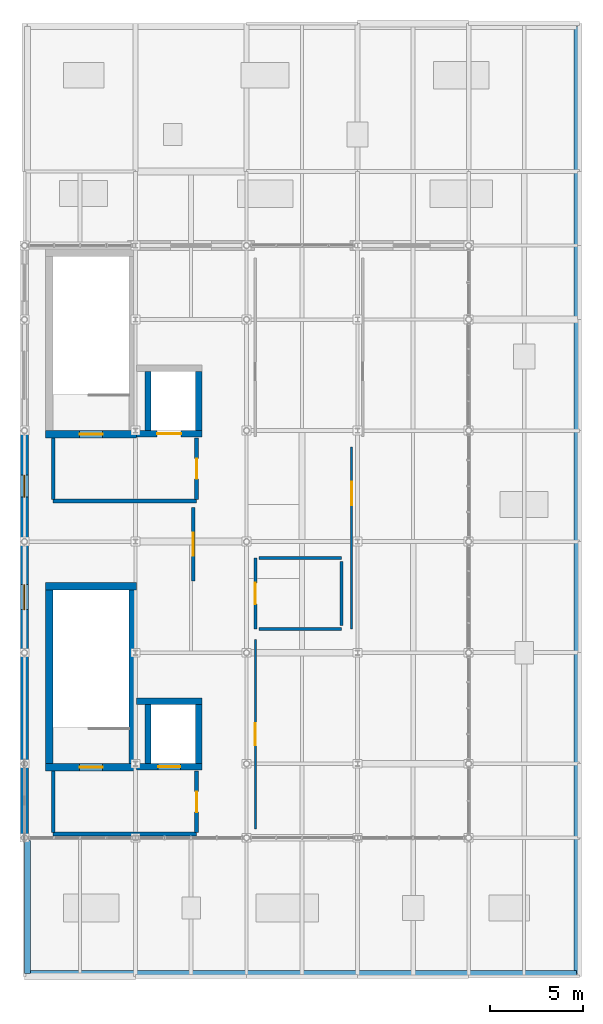
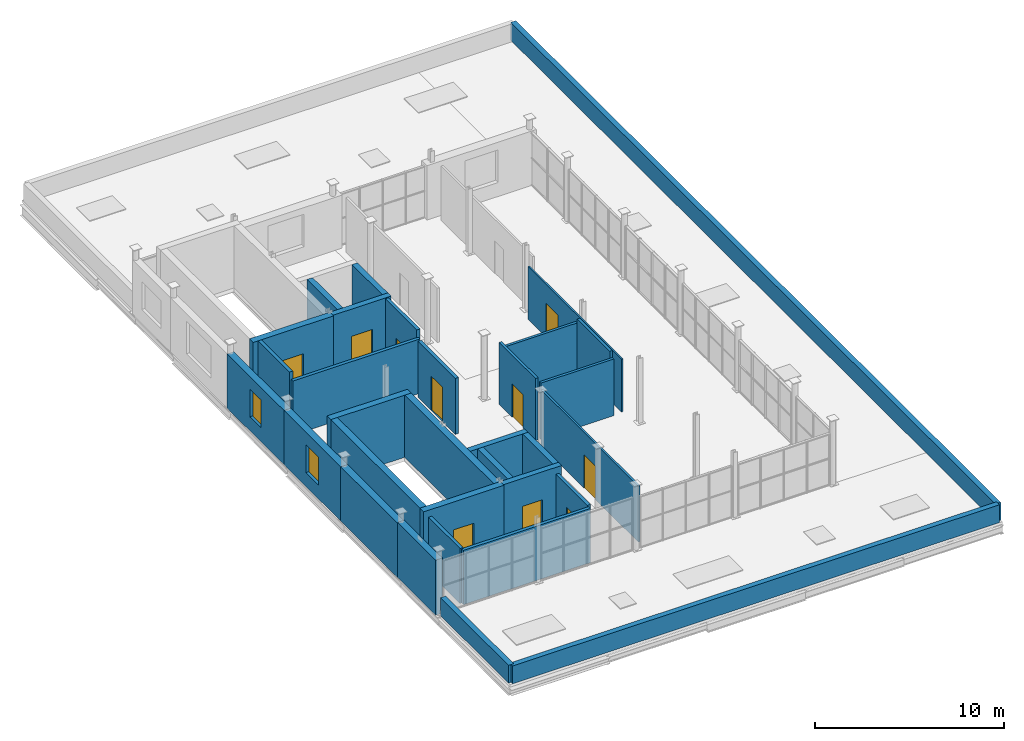
# One storey, part 25 of 27: 32 walls, 10 doors, 2 windows, 12 openings.
"""IFC4 building model written with IfcOpenShell, lengths in metres."""

from ifc_helpers import new_model, si_unit, direction, frame, frame_2d, origin, place, context, subcontext, project, spatial, rectangle, extrude, material, layer, layer_set, type_object, element, fill, save


model = new_model("IFC4")

# Units and contexts
model_context = context("Model", 3, precision=1e-05, world=origin(), true_north=direction((0.0, 1.0)))
body_context = subcontext(model_context, "Body", "Model", "MODEL_VIEW")
ifc_project = project(units=[si_unit("LENGTHUNIT", "METRE"), si_unit("AREAUNIT", "SQUARE_METRE"), si_unit("VOLUMEUNIT", "CUBIC_METRE"), si_unit("PLANEANGLEUNIT", "RADIAN"), si_unit("MASSUNIT", "GRAM", prefix="KILO")], contexts=[model_context])

# Site, building, storey
site_placement = place(None, origin())
site = spatial("IfcSite", under=ifc_project, at=site_placement, CompositionType="ELEMENT")
building_placement = place(site_placement, origin())
building = spatial("IfcBuilding", under=site, at=building_placement, Name="Verrall Gate Interchange", CompositionType="ELEMENT")
storey_placement = place(building_placement, frame((0.0, 0.0, 28.60009765625)))
storey = spatial("IfcBuildingStorey", under=building, at=storey_placement, Name="L07", CompositionType="ELEMENT", Elevation=28.60009765625)

# Wall, opening, window
ifc_material_1 = material(Name="Tyndall Dolomitic Limestone Ashlar Cavity Assembly (U=0.18)", Category="masonry")
ifc_layer_1 = layer(ifc_material_1, 0.419921875)
ifc_layer_set_1 = layer_set([ifc_layer_1], Name="Tyndall Dolomitic Limestone Ashlar Cavity Assembly (U=0.18)")
wall_type_1 = type_object("IfcWallType", Name="EW-01 Exterior Solid Wall 420", PredefinedType="SOLIDWALL", material=ifc_layer_set_1)
wall_1_placement = place(storey_placement, frame((6.0, 34.008056640625, 0.0), z_axis=(0.0, 0.0, 1.0), x_axis=(0.0, -1.0, 0.0)))
wall_1 = element("IfcWall", 1, at=wall_1_placement, inside=storey, type_object=wall_type_1, Name="L07 Classical Limestone Facade Wall 158", PredefinedType="SOLIDWALL", context=body_context, shape_type="SweptSolid", body=[
    extrude(rectangle(XDim=6.01611328125, YDim=0.419921875, at=frame_2d((3.008056640625, 0.0))), origin(), (0.0, 0.0, 1.0), 3.496826171875),
])
opening_1_placement = place(wall_1_placement, frame((2.407958984375, 0.0, 0.89990234375)))
opening_1 = element("IfcOpeningElement", 2, at=opening_1_placement, cuts=wall_1, Name="Opening WN-01", PredefinedType="OPENING", context=body_context, shape_type="SweptSolid", body=[
    extrude(rectangle(XDim=1.199951171875, YDim=1.800048828125, at=frame_2d((0.60009765625, 0.89990234375))), frame((0.0, 0.224853515625, 0.0), z_axis=(0.0, -1.0, 0.0), x_axis=(1.0, 0.0, 0.0)), (0.0, 0.0, 1.0), 0.44970703125),
])
ifc_material_2 = material(Name="Triple-Glazed Low-E Argon Bronze-Clad Window Unit (U=1.40)", Category="glass")
window_type_1 = type_object("IfcWindowType", Name="WN-01 Classical Deep-Reveal Window 1200x1800", PartitioningType="SINGLE_PANEL", PredefinedType="WINDOW", material=ifc_material_2)
window_1_placement = place(opening_1_placement, origin())
window_1 = element("IfcWindow", 3, at=window_1_placement, inside=storey, type_object=window_type_1, Name="L07 Classical Window 089 (WN-01)", OverallHeight=1.800048828125, OverallWidth=1.199951171875, PartitioningType="SINGLE_PANEL", PredefinedType="WINDOW", context=body_context, shape_type="SweptSolid", body=[
    extrude(rectangle(XDim=1.199951171875, YDim=1.800048828125, at=frame_2d((0.60009765625, 0.89990234375))), frame((0.0, 0.030029296875, 0.0), z_axis=(0.0, -1.0, 0.0), x_axis=(1.0, 0.0, 0.0)), (0.0, 0.0, 1.0), 0.06005859375),
])
fill(opening_1, window_1)

wall_2_placement = place(storey_placement, frame((6.0, 28.008056640625, 0.0), z_axis=(0.0, 0.0, 1.0), x_axis=(0.0, -1.0, 0.0)))
wall_2 = element("IfcWall", 4, at=wall_2_placement, inside=storey, type_object=wall_type_1, Name="L07 Classical Limestone Facade Wall 159", PredefinedType="SOLIDWALL", context=body_context, shape_type="SweptSolid", body=[
    extrude(rectangle(XDim=6.01611328125, YDim=0.419921875, at=frame_2d((3.008056640625, 0.0))), origin(), (0.0, 0.0, 1.0), 3.496826171875),
])
opening_2_placement = place(wall_2_placement, frame((2.3330078125, 0.0, 0.89990234375)))
opening_2 = element("IfcOpeningElement", 5, at=opening_2_placement, cuts=wall_2, Name="Opening WN-02", PredefinedType="OPENING", context=body_context, shape_type="SweptSolid", body=[
    extrude(rectangle(XDim=1.35009765625, YDim=1.800048828125, at=frame_2d((0.675048828125, 0.89990234375))), frame((0.0, 0.224853515625, 0.0), z_axis=(0.0, -1.0, 0.0), x_axis=(1.0, 0.0, 0.0)), (0.0, 0.0, 1.0), 0.44970703125),
])
ifc_material_3 = material(Name="Triple-Glazed Low-E Argon Bronze-Clad Window Unit (U=1.40)", Category="glass")
window_type_2 = type_object("IfcWindowType", Name="WN-02 Classical Deep-Reveal Window 1350x1800", PartitioningType="SINGLE_PANEL", PredefinedType="WINDOW", material=ifc_material_3)
window_2_placement = place(opening_2_placement, origin())
window_2 = element("IfcWindow", 6, at=window_2_placement, inside=storey, type_object=window_type_2, Name="L07 Classical Window 090 (WN-02)", OverallHeight=1.800048828125, OverallWidth=1.35009765625, PartitioningType="SINGLE_PANEL", PredefinedType="WINDOW", context=body_context, shape_type="SweptSolid", body=[
    extrude(rectangle(XDim=1.35009765625, YDim=1.800048828125, at=frame_2d((0.675048828125, 0.89990234375))), frame((0.0, 0.030029296875, 0.0), z_axis=(0.0, -1.0, 0.0), x_axis=(1.0, 0.0, 0.0)), (0.0, 0.0, 1.0), 0.06005859375),
])
fill(opening_2, window_2)

# Walls
wall_3_placement = place(storey_placement, frame((6.0, 22.008056640625, 0.0), z_axis=(0.0, 0.0, 1.0), x_axis=(0.0, -1.0, 0.0)))
element("IfcWall", 7, at=wall_3_placement, inside=storey, type_object=wall_type_1, Name="L07 Classical Limestone Facade Wall 160", PredefinedType="SOLIDWALL", context=body_context, shape_type="SweptSolid", body=[
    extrude(rectangle(XDim=6.01611328125, YDim=0.419921875, at=frame_2d((3.008056640625, 0.0))), origin(), (0.0, 0.0, 1.0), 3.496826171875),
])
wall_4_placement = place(storey_placement, frame((6.0, 16.008056640625, 0.0), z_axis=(0.0, 0.0, 1.0), x_axis=(0.0, -1.0, 0.0)))
element("IfcWall", 8, at=wall_4_placement, inside=storey, type_object=wall_type_1, Name="L07 Classical Limestone Facade Wall 161", PredefinedType="SOLIDWALL", context=body_context, shape_type="SweptSolid", body=[
    extrude(rectangle(XDim=4.01611328125, YDim=0.419921875, at=frame_2d((2.008056640625, 0.0))), origin(), (0.0, 0.0, 1.0), 3.5498046875),
])
ifc_material_4 = material(Name="Fire-Rated Type X Gypsum Stud Partition Assembly (60 min)", Category="gypsum")
ifc_layer_2 = layer(ifc_material_4, 0.199951171875)
ifc_layer_set_2 = layer_set([ifc_layer_2], Name="Fire-Rated Type X Gypsum Stud Partition Assembly (60 min)")
wall_type_2 = type_object("IfcWallType", Name="IW-01 Interior Partition Wall 200", PredefinedType="PARTITIONING", material=ifc_layer_set_2)
wall_5_placement = place(storey_placement, frame((7.550048828125, 12.199951171875, 0.0), z_axis=(0.0, 0.0, 1.0), x_axis=(1.0, 0.0, 0.0)))
element("IfcWall", 9, at=wall_5_placement, inside=storey, type_object=wall_type_2, Name="L07 Core C1 Lobby South Rated Wall", PredefinedType="PARTITIONING", context=body_context, shape_type="SweptSolid", body=[
    extrude(rectangle(XDim=7.75, YDim=0.199951171875, at=frame_2d((3.875, 0.0))), origin(), (0.0, 0.0, 1.0), 3.496826171875),
])
wall_6_placement = place(storey_placement, frame((7.550048828125, 15.60009765625, 0.0), z_axis=(0.0, 0.0, 1.0), x_axis=(0.0, -1.0, 0.0)))
element("IfcWall", 10, at=wall_6_placement, inside=storey, type_object=wall_type_2, Name="L07 Core C1 Lobby West Rated Wall", PredefinedType="PARTITIONING", context=body_context, shape_type="SweptSolid", body=[
    extrude(rectangle(XDim=3.320068359375, YDim=0.199951171875, at=frame_2d((1.66015625, 0.0))), origin(), (0.0, 0.0, 1.0), 3.5498046875),
])

# Wall, opening, door
wall_7_placement = place(storey_placement, frame((15.300048828125, 12.280029296875, 0.0), z_axis=(0.0, 0.0, 1.0), x_axis=(0.0, 1.0, 0.0)))
wall_7 = element("IfcWall", 11, at=wall_7_placement, inside=storey, type_object=wall_type_2, Name="L07 Core C1 Lobby East Rated Wall", PredefinedType="PARTITIONING", context=body_context, shape_type="SweptSolid", body=[
    extrude(rectangle(XDim=3.320068359375, YDim=0.199951171875, at=frame_2d((1.66015625, 0.0))), origin(), (0.0, 0.0, 1.0), 3.60400390625),
])
opening_3_placement = place(wall_7_placement, frame((1.110107421875, 0.0, 0.0)))
opening_3 = element("IfcOpeningElement", 12, at=opening_3_placement, cuts=wall_7, Name="Opening LBD018", PredefinedType="OPENING", context=body_context, shape_type="SweptSolid", body=[
    extrude(rectangle(XDim=1.10009765625, YDim=2.14990234375, at=frame_2d((0.550048828125, 1.074951171875))), frame((0.0, 0.11474609375, 0.0), z_axis=(0.0, -1.0, 0.0), x_axis=(1.0, 0.0, 0.0)), (0.0, 0.0, 1.0), 0.229736328125),
])
ifc_material_5 = material(Name="Hollow-Metal Fire-Rated Door Assembly", Category="metal")
door_type_1 = type_object("IfcDoorType", Name="ID-06 Interior Swing Door 1100x2150", OperationType="NOTDEFINED", PredefinedType="DOOR", material=ifc_material_5)
door_1_placement = place(opening_3_placement, origin())
door_1 = element("IfcDoor", 13, at=door_1_placement, inside=storey, type_object=door_type_1, Name="L07 Core C1 Lobby Fire Door LBD018", OperationType="SINGLE_SWING_RIGHT", OverallHeight=2.14990234375, OverallWidth=1.10009765625, PredefinedType="DOOR", context=body_context, shape_type="SweptSolid", body=[
    extrude(rectangle(XDim=1.10009765625, YDim=2.14990234375, at=frame_2d((0.550048828125, 1.074951171875))), frame((0.0, 0.02490234375, 0.0), z_axis=(0.0, -1.0, 0.0), x_axis=(1.0, 0.0, 0.0)), (0.0, 0.0, 1.0), 0.050048828125),
])
fill(opening_3, door_1)

# Walls
wall_8_placement = place(storey_placement, frame((7.550048828125, 30.199951171875, 0.0), z_axis=(0.0, 0.0, 1.0), x_axis=(1.0, 0.0, 0.0)))
element("IfcWall", 14, at=wall_8_placement, inside=storey, type_object=wall_type_2, Name="L07 Core C2 Lobby South Rated Wall", PredefinedType="PARTITIONING", context=body_context, shape_type="SweptSolid", body=[
    extrude(rectangle(XDim=7.75, YDim=0.199951171875, at=frame_2d((3.875, 0.0))), origin(), (0.0, 0.0, 1.0), 3.496826171875),
])
wall_9_placement = place(storey_placement, frame((7.550048828125, 33.60009765625, 0.0), z_axis=(0.0, 0.0, 1.0), x_axis=(0.0, -1.0, 0.0)))
element("IfcWall", 15, at=wall_9_placement, inside=storey, type_object=wall_type_2, Name="L07 Core C2 Lobby West Rated Wall", PredefinedType="PARTITIONING", context=body_context, shape_type="SweptSolid", body=[
    extrude(rectangle(XDim=3.320068359375, YDim=0.199951171875, at=frame_2d((1.66015625, 0.0))), origin(), (0.0, 0.0, 1.0), 4.0),
])

# Wall, opening, door
wall_10_placement = place(storey_placement, frame((15.300048828125, 30.280029296875, 0.0), z_axis=(0.0, 0.0, 1.0), x_axis=(0.0, 1.0, 0.0)))
wall_10 = element("IfcWall", 16, at=wall_10_placement, inside=storey, type_object=wall_type_2, Name="L07 Core C2 Lobby East Rated Wall", PredefinedType="PARTITIONING", context=body_context, shape_type="SweptSolid", body=[
    extrude(rectangle(XDim=3.320068359375, YDim=0.199951171875, at=frame_2d((1.66015625, 0.0))), origin(), (0.0, 0.0, 1.0), 4.0),
])
opening_4_placement = place(wall_10_placement, frame((1.110107421875, 0.0, 0.0)))
opening_4 = element("IfcOpeningElement", 17, at=opening_4_placement, cuts=wall_10, Name="Opening LBD036", PredefinedType="OPENING", context=body_context, shape_type="SweptSolid", body=[
    extrude(rectangle(XDim=1.10009765625, YDim=2.14990234375, at=frame_2d((0.550048828125, 1.074951171875))), frame((0.0, 0.11474609375, 0.0), z_axis=(0.0, -1.0, 0.0), x_axis=(1.0, 0.0, 0.0)), (0.0, 0.0, 1.0), 0.229736328125),
])
door_2_placement = place(opening_4_placement, origin())
door_2 = element("IfcDoor", 18, at=door_2_placement, inside=storey, type_object=door_type_1, Name="L07 Core C2 Lobby Fire Door LBD036", OperationType="SINGLE_SWING_RIGHT", OverallHeight=2.14990234375, OverallWidth=1.10009765625, PredefinedType="DOOR", context=body_context, shape_type="SweptSolid", body=[
    extrude(rectangle(XDim=1.10009765625, YDim=2.14990234375, at=frame_2d((0.550048828125, 1.074951171875))), frame((0.0, 0.02490234375, 0.0), z_axis=(0.0, -1.0, 0.0), x_axis=(1.0, 0.0, 0.0)), (0.0, 0.0, 1.0), 0.050048828125),
])
fill(opening_4, door_2)

wall_11_placement = place(storey_placement, frame((15.1201171875, 29.840087890625, 0.0), z_axis=(0.0, 0.0, 1.0), x_axis=(0.0, -1.0, 0.0)))
wall_11 = element("IfcWall", 19, at=wall_11_placement, inside=storey, type_object=wall_type_2, Name="L07 Crown Heat-Recovery and Radio Plant Partition 109", PredefinedType="PARTITIONING", context=body_context, shape_type="SweptSolid", body=[
    extrude(rectangle(XDim=3.960205078125, YDim=0.199951171875, at=frame_2d((1.97998046875, 0.0))), origin(), (0.0, 0.0, 1.0), 3.60595703125),
])
opening_5_placement = place(wall_11_placement, frame((1.3701171875, 0.0, 0.0)))
opening_5 = element("IfcOpeningElement", 20, at=opening_5_placement, cuts=wall_11, Name="Opening D072", PredefinedType="OPENING", context=body_context, shape_type="SweptSolid", body=[
    extrude(rectangle(XDim=1.219970703125, YDim=2.199951171875, at=frame_2d((0.60986328125, 1.10009765625))), frame((0.0, 0.11474609375, 0.0), z_axis=(0.0, -1.0, 0.0), x_axis=(1.0, 0.0, 0.0)), (0.0, 0.0, 1.0), 0.229736328125),
])
ifc_material_6 = material(Name="Hollow-Metal Fire-Rated Door Assembly", Category="metal")
door_type_2 = type_object("IfcDoorType", Name="ID-07 Interior Swing Door 1220x2200", OperationType="NOTDEFINED", PredefinedType="DOOR", material=ifc_material_6)
door_3_placement = place(opening_5_placement, origin())
door_3 = element("IfcDoor", 21, at=door_3_placement, inside=storey, type_object=door_type_2, Name="L07 Crown Heat-Recovery and Radio Plant Door D072", OperationType="SINGLE_SWING_LEFT", OverallHeight=2.199951171875, OverallWidth=1.219970703125, PredefinedType="DOOR", context=body_context, shape_type="SweptSolid", body=[
    extrude(rectangle(XDim=1.219970703125, YDim=2.199951171875, at=frame_2d((0.60986328125, 1.10009765625))), frame((0.0, 0.02490234375, 0.0), z_axis=(0.0, -1.0, 0.0), x_axis=(1.0, 0.0, 0.0)), (0.0, 0.0, 1.0), 0.050048828125),
])
fill(opening_5, door_3)

ifc_material_7 = material(Name="Fire-Rated Type X Gypsum Stud Partition Assembly (60 min)", Category="gypsum")
ifc_layer_3 = layer(ifc_material_7, 0.159912109375)
ifc_layer_set_3 = layer_set([ifc_layer_3], Name="Fire-Rated Type X Gypsum Stud Partition Assembly (60 min)")
wall_type_3 = type_object("IfcWallType", Name="IW-02 Interior Partition Wall 160", PredefinedType="PARTITIONING", material=ifc_layer_set_3)
wall_12_placement = place(storey_placement, frame((18.47998046875, 23.280029296875, 0.0), z_axis=(0.0, 0.0, 1.0), x_axis=(0.0, 1.0, 0.0)))
wall_12 = element("IfcWall", 22, at=wall_12_placement, inside=storey, type_object=wall_type_3, Name="L07 L07 Accessible Staff Washroom Partition 103", PredefinedType="PARTITIONING", context=body_context, shape_type="SweptSolid", body=[
    extrude(rectangle(XDim=3.840087890625, YDim=0.159912109375, at=frame_2d((1.919921875, 0.0))), origin(), (0.0, 0.0, 1.0), 4.0),
])
opening_6_placement = place(wall_12_placement, frame((1.35009765625, 0.0, 0.0)))
opening_6 = element("IfcOpeningElement", 23, at=opening_6_placement, cuts=wall_12, Name="Opening D069", PredefinedType="OPENING", context=body_context, shape_type="SweptSolid", body=[
    extrude(rectangle(XDim=1.139892578125, YDim=2.14990234375, at=frame_2d((0.56982421875, 1.074951171875))), frame((0.0, 0.0947265625, 0.0), z_axis=(0.0, -1.0, 0.0), x_axis=(1.0, 0.0, 0.0)), (0.0, 0.0, 1.0), 0.189697265625),
])
ifc_material_8 = material(Name="Architectural Solid-Core Birch Acoustic Door Assembly", Category="wood")
door_type_3 = type_object("IfcDoorType", Name="ID-14 Interior Swing Door 1140x2150", OperationType="NOTDEFINED", PredefinedType="DOOR", material=ifc_material_8)
door_4_placement = place(opening_6_placement, origin())
door_4 = element("IfcDoor", 24, at=door_4_placement, inside=storey, type_object=door_type_3, Name="L07 L07 Accessible Staff Washroom Door D069", OperationType="SINGLE_SWING_RIGHT", OverallHeight=2.14990234375, OverallWidth=1.139892578125, PredefinedType="DOOR", context=body_context, shape_type="SweptSolid", body=[
    extrude(rectangle(XDim=1.139892578125, YDim=2.14990234375, at=frame_2d((0.56982421875, 1.074951171875))), frame((0.0, 0.02490234375, 0.0), z_axis=(0.0, -1.0, 0.0), x_axis=(1.0, 0.0, 0.0)), (0.0, 0.0, 1.0), 0.050048828125),
])
fill(opening_6, door_4)

# Walls
for number, where, z_axis, x_axis, name in (
    (25, (18.679931640625, 27.1201171875, 0.0), (0.0, 0.0, 1.0), (1.0, 0.0, 0.0), "L07 L07 Accessible Staff Washroom Partition 104"),
    (26, (23.1201171875, 23.280029296875, 0.0), (0.0, 0.0, 1.0), (-1.0, 0.0, 0.0), "L07 L07 Accessible Staff Washroom Partition 105"),
):
    element("IfcWall", number, at=place(storey_placement, frame(where, z_axis=z_axis, x_axis=x_axis)), inside=storey, type_object=wall_type_3, Name=name, PredefinedType="PARTITIONING", context=body_context, shape_type="SweptSolid", body=[
        extrude(rectangle(XDim=4.440185546875, YDim=0.159912109375, at=frame_2d((2.22021484375, 0.0))), origin(), (0.0, 0.0, 1.0), 3.64990234375),
    ])
wall_13_placement = place(storey_placement, frame((23.1201171875, 26.919921875, 0.0), z_axis=(0.0, 0.0, 1.0), x_axis=(0.0, -1.0, 0.0)))
element("IfcWall", 27, at=wall_13_placement, inside=storey, type_object=wall_type_3, Name="L07 L07 Accessible Staff Washroom Partition 106", PredefinedType="PARTITIONING", context=body_context, shape_type="SweptSolid", body=[
    extrude(rectangle(XDim=3.43994140625, YDim=0.159912109375, at=frame_2d((1.719970703125, 0.0))), origin(), (0.0, 0.0, 1.0), 4.0),
])

# Wall, opening, door
ifc_material_9 = material(Name="Acoustic Steel-Stud Partition Assembly", Category="steel")
ifc_layer_4 = layer(ifc_material_9, 0.1201171875)
ifc_layer_set_4 = layer_set([ifc_layer_4], Name="Acoustic Steel-Stud Partition Assembly")
wall_type_4 = type_object("IfcWallType", Name="IW-04 Interior Partition Wall 120", PredefinedType="PARTITIONING", material=ifc_layer_set_4)
wall_14_placement = place(storey_placement, frame((18.47998046875, 12.47998046875, 0.0), z_axis=(0.0, 0.0, 1.0), x_axis=(0.0, 1.0, 0.0)))
wall_14 = element("IfcWall", 28, at=wall_14_placement, inside=storey, type_object=wall_type_4, Name="L07 Chief Dispatcher Observation Gallery Partition 107", PredefinedType="PARTITIONING", context=body_context, shape_type="SweptSolid", body=[
    extrude(rectangle(XDim=10.239990234375, YDim=0.1201171875, at=frame_2d((5.1201171875, 0.0))), origin(), (0.0, 0.0, 1.0), 3.60400390625),
])
opening_7_placement = place(wall_14_placement, frame((4.52001953125, 0.0, 0.0)))
opening_7 = element("IfcOpeningElement", 29, at=opening_7_placement, cuts=wall_14, Name="Opening D070", PredefinedType="OPENING", context=body_context, shape_type="SweptSolid", body=[
    extrude(rectangle(XDim=1.199951171875, YDim=2.14990234375, at=frame_2d((0.60009765625, 1.074951171875))), frame((0.0, 0.074951171875, 0.0), z_axis=(0.0, -1.0, 0.0), x_axis=(1.0, 0.0, 0.0)), (0.0, 0.0, 1.0), 0.14990234375),
])
ifc_material_10 = material(Name="Architectural Solid-Core Birch Acoustic Door Assembly", Category="wood")
door_type_4 = type_object("IfcDoorType", Name="ID-15 Interior Swing Door 1200x2150", OperationType="NOTDEFINED", PredefinedType="DOOR", material=ifc_material_10)
door_5_placement = place(opening_7_placement, origin())
door_5 = element("IfcDoor", 30, at=door_5_placement, inside=storey, type_object=door_type_4, Name="L07 Chief Dispatcher Observation Gallery Door D070", OperationType="SINGLE_SWING_LEFT", OverallHeight=2.14990234375, OverallWidth=1.199951171875, PredefinedType="DOOR", context=body_context, shape_type="SweptSolid", body=[
    extrude(rectangle(XDim=1.199951171875, YDim=2.14990234375, at=frame_2d((0.60009765625, 1.074951171875))), frame((0.0, 0.02490234375, 0.0), z_axis=(0.0, -1.0, 0.0), x_axis=(1.0, 0.0, 0.0)), (0.0, 0.0, 1.0), 0.050048828125),
])
fill(opening_7, door_5)

ifc_material_11 = material(Name="Acoustic Steel-Stud Partition Assembly", Category="steel")
ifc_layer_5 = layer(ifc_material_11, 0.10009765625)
ifc_layer_set_5 = layer_set([ifc_layer_5], Name="Acoustic Steel-Stud Partition Assembly")
wall_type_5 = type_object("IfcWallType", Name="IW-05 Interior Partition Wall 100", PredefinedType="PARTITIONING", material=ifc_layer_set_5)
wall_15_placement = place(storey_placement, frame((23.679931640625, 23.280029296875, 0.0), z_axis=(0.0, 0.0, 1.0), x_axis=(0.0, 1.0, 0.0)))
wall_15 = element("IfcWall", 31, at=wall_15_placement, inside=storey, type_object=wall_type_5, Name="L07 Winter Operations Briefing Room Partition 108", PredefinedType="PARTITIONING", context=body_context, shape_type="SweptSolid", body=[
    extrude(rectangle(XDim=9.840087890625, YDim=0.10009765625, at=frame_2d((4.919921875, 0.0))), origin(), (0.0, 0.0, 1.0), 3.4208984375),
])
opening_8_placement = place(wall_15_placement, frame((6.6767578125, 0.0, 0.0)))
opening_8 = element("IfcOpeningElement", 32, at=opening_8_placement, cuts=wall_15, Name="Opening D071", PredefinedType="OPENING", context=body_context, shape_type="SweptSolid", body=[
    extrude(rectangle(XDim=1.280029296875, YDim=2.199951171875, at=frame_2d((0.64013671875, 1.10009765625))), frame((0.0, 0.06494140625, 0.0), z_axis=(0.0, -1.0, 0.0), x_axis=(1.0, 0.0, 0.0)), (0.0, 0.0, 1.0), 0.1298828125),
])
ifc_material_12 = material(Name="Architectural Solid-Core Birch Acoustic Door Assembly", Category="wood")
door_type_5 = type_object("IfcDoorType", Name="ID-16 Interior Swing Door 1280x2200", OperationType="NOTDEFINED", PredefinedType="DOOR", material=ifc_material_12)
door_6_placement = place(opening_8_placement, origin())
door_6 = element("IfcDoor", 33, at=door_6_placement, inside=storey, type_object=door_type_5, Name="L07 Winter Operations Briefing Room Door D071", OperationType="SINGLE_SWING_RIGHT", OverallHeight=2.199951171875, OverallWidth=1.280029296875, PredefinedType="DOOR", context=body_context, shape_type="SweptSolid", body=[
    extrude(rectangle(XDim=1.280029296875, YDim=2.199951171875, at=frame_2d((0.64013671875, 1.10009765625))), frame((0.0, 0.02490234375, 0.0), z_axis=(0.0, -1.0, 0.0), x_axis=(1.0, 0.0, 0.0)), (0.0, 0.0, 1.0), 0.050048828125),
])
fill(opening_8, door_6)

# Walls
ifc_material_13 = material(Name="Tyndall Dolomitic Limestone Ashlar Cavity Assembly (U=0.18)", Category="masonry")
ifc_layer_6 = layer(ifc_material_13, 0.320068359375)
ifc_layer_set_6 = layer_set([ifc_layer_6], Name="Tyndall Dolomitic Limestone Ashlar Cavity Assembly (U=0.18)")
wall_type_6 = type_object("IfcWallType", Name="PW-02 Parapet Wall 320", PredefinedType="PARAPET", material=ifc_layer_set_6)
wall_16_placement = place(storey_placement, frame((6.159912109375, 4.659912109375, 0.0), z_axis=(0.0, 0.0, 1.0), x_axis=(1.0, 0.0, 0.0)))
element("IfcWall", 34, at=wall_16_placement, inside=storey, type_object=wall_type_6, Name="L07 Classical Stone Roof Parapet 007", PredefinedType="PARAPET", context=body_context, shape_type="SweptSolid", body=[
    extrude(rectangle(XDim=29.68017578125, YDim=0.320068359375, at=frame_2d((14.840087890625, 0.0))), origin(), (0.0, 0.0, 1.0), 1.14990234375),
])
wall_17_placement = place(storey_placement, frame((35.840087890625, 4.659912109375, 0.0), z_axis=(0.0, 0.0, 1.0), x_axis=(0.0, 1.0, 0.0)))
element("IfcWall", 35, at=wall_17_placement, inside=storey, type_object=wall_type_6, Name="L07 Classical Stone Roof Parapet 008", PredefinedType="PARAPET", context=body_context, shape_type="SweptSolid", body=[
    extrude(rectangle(XDim=51.18017578125, YDim=0.320068359375, at=frame_2d((25.590087890625, 0.0))), origin(), (0.0, 0.0, 1.0), 1.14990234375),
])
wall_18_placement = place(storey_placement, frame((6.159912109375, 4.659912109375, 0.0), z_axis=(0.0, 0.0, 1.0), x_axis=(0.0, 1.0, 0.0)))
element("IfcWall", 36, at=wall_18_placement, inside=storey, type_object=wall_type_6, Name="L07 Classical Stone Roof Parapet 010", PredefinedType="PARAPET", context=body_context, shape_type="SweptSolid", body=[
    extrude(rectangle(XDim=7.18017578125, YDim=0.320068359375, at=frame_2d((3.590087890625, 0.0))), origin(), (0.0, 0.0, 1.0), 1.14990234375),
])

# Wall, opening, door
ifc_material_14 = material(Name="Concrete CSA A23.1 40 MPa (Class N)", Category="concrete")
ifc_layer_7 = layer(ifc_material_14, 0.39990234375)
ifc_layer_set_7 = layer_set([ifc_layer_7], Name="Concrete CSA A23.1 40 MPa (Class N)")
wall_type_7 = type_object("IfcWallType", Name="SW-01 Core Shear Wall 400", PredefinedType="SHEAR", material=ifc_layer_set_7)
wall_19_placement = place(storey_placement, frame((7.14990234375, 15.800048828125, 0.0), z_axis=(0.0, 0.0, 1.0), x_axis=(1.0, 0.0, 0.0)))
wall_19 = element("IfcWall", 37, at=wall_19_placement, inside=storey, type_object=wall_type_7, Name="L07 Core C1 South Shear Wall", PredefinedType="SHEAR", context=body_context, shape_type="SweptSolid", body=[
    extrude(rectangle(XDim=4.900146484375, YDim=0.39990234375, at=frame_2d((2.4501953125, 0.0))), origin(), (0.0, 0.0, 1.0), 4.0),
])
opening_9_placement = place(wall_19_placement, frame((1.824951171875, 0.0, 0.0)))
opening_9 = element("IfcOpeningElement", 38, at=opening_9_placement, cuts=wall_19, Name="Opening SD009", PredefinedType="OPENING", context=body_context, shape_type="SweptSolid", body=[
    extrude(rectangle(XDim=1.25, YDim=2.199951171875, at=frame_2d((0.625, 1.10009765625))), frame((0.0, 0.21484375, 0.0), z_axis=(0.0, -1.0, 0.0), x_axis=(1.0, 0.0, 0.0)), (0.0, 0.0, 1.0), 0.4296875),
])
ifc_material_15 = material(Name="Hollow-Metal Fire-Rated Door Assembly", Category="metal")
door_type_6 = type_object("IfcDoorType", Name="ID-03 Interior Swing Door 1250x2200", OperationType="NOTDEFINED", PredefinedType="DOOR", material=ifc_material_15)
door_7_placement = place(opening_9_placement, origin())
door_7 = element("IfcDoor", 39, at=door_7_placement, inside=storey, type_object=door_type_6, Name="L07 Stair ST-01 Fire Door SD009", OperationType="SINGLE_SWING_LEFT", OverallHeight=2.199951171875, OverallWidth=1.25, PredefinedType="DOOR", context=body_context, shape_type="SweptSolid", body=[
    extrude(rectangle(XDim=1.25, YDim=2.199951171875, at=frame_2d((0.625, 1.10009765625))), frame((0.0, 0.02490234375, 0.0), z_axis=(0.0, -1.0, 0.0), x_axis=(1.0, 0.0, 0.0)), (0.0, 0.0, 1.0), 0.050048828125),
])
fill(opening_9, door_7)

# Walls
wall_20_placement = place(storey_placement, frame((12.050048828125, 25.60009765625, 0.0), z_axis=(0.0, 0.0, 1.0), x_axis=(-1.0, 0.0, 0.0)))
element("IfcWall", 40, at=wall_20_placement, inside=storey, type_object=wall_type_7, Name="L07 Core C1 North Shear Wall", PredefinedType="SHEAR", context=body_context, shape_type="SweptSolid", body=[
    extrude(rectangle(XDim=4.900146484375, YDim=0.39990234375, at=frame_2d((2.4501953125, 0.0))), origin(), (0.0, 0.0, 1.0), 4.0),
])
for number, where, z_axis, x_axis, name in (
    (41, (7.35009765625, 25.39990234375, 0.0), (0.0, 0.0, 1.0), (0.0, -1.0, 0.0), "L07 Core C1 West Shear Wall"),
    (42, (11.85009765625, 16.0, 0.0), (0.0, 0.0, 1.0), (0.0, 1.0, 0.0), "L07 Core C1 East Shear Wall"),
):
    element("IfcWall", number, at=place(storey_placement, frame(where, z_axis=z_axis, x_axis=x_axis)), inside=storey, type_object=wall_type_7, Name=name, PredefinedType="SHEAR", context=body_context, shape_type="SweptSolid", body=[
        extrude(rectangle(XDim=9.39990234375, YDim=0.39990234375, at=frame_2d((4.699951171875, 0.0))), origin(), (0.0, 0.0, 1.0), 4.0),
    ])

# Wall, opening, door
wall_21_placement = place(storey_placement, frame((7.14990234375, 33.800048828125, 0.0), z_axis=(0.0, 0.0, 1.0), x_axis=(1.0, 0.0, 0.0)))
wall_21 = element("IfcWall", 43, at=wall_21_placement, inside=storey, type_object=wall_type_7, Name="L07 Core C2 South Shear Wall", PredefinedType="SHEAR", context=body_context, shape_type="SweptSolid", body=[
    extrude(rectangle(XDim=4.900146484375, YDim=0.39990234375, at=frame_2d((2.4501953125, 0.0))), origin(), (0.0, 0.0, 1.0), 4.0),
])
opening_10_placement = place(wall_21_placement, frame((1.824951171875, 0.0, 0.0)))
opening_10 = element("IfcOpeningElement", 44, at=opening_10_placement, cuts=wall_21, Name="Opening SD027", PredefinedType="OPENING", context=body_context, shape_type="SweptSolid", body=[
    extrude(rectangle(XDim=1.25, YDim=2.199951171875, at=frame_2d((0.625, 1.10009765625))), frame((0.0, 0.21484375, 0.0), z_axis=(0.0, -1.0, 0.0), x_axis=(1.0, 0.0, 0.0)), (0.0, 0.0, 1.0), 0.4296875),
])
door_8_placement = place(opening_10_placement, origin())
door_8 = element("IfcDoor", 45, at=door_8_placement, inside=storey, type_object=door_type_6, Name="L07 Stair ST-02 Fire Door SD027", OperationType="SINGLE_SWING_LEFT", OverallHeight=2.199951171875, OverallWidth=1.25, PredefinedType="DOOR", context=body_context, shape_type="SweptSolid", body=[
    extrude(rectangle(XDim=1.25, YDim=2.199951171875, at=frame_2d((0.625, 1.10009765625))), frame((0.0, 0.02490234375, 0.0), z_axis=(0.0, -1.0, 0.0), x_axis=(1.0, 0.0, 0.0)), (0.0, 0.0, 1.0), 0.050048828125),
])
fill(opening_10, door_8)

ifc_material_16 = material(Name="Concrete CSA A23.1 40 MPa (Class N)", Category="concrete")
ifc_layer_8 = layer(ifc_material_16, 0.340087890625)
ifc_layer_set_8 = layer_set([ifc_layer_8], Name="Concrete CSA A23.1 40 MPa (Class N)")
wall_type_8 = type_object("IfcWallType", Name="SW-02 Core Shear Wall 340", PredefinedType="SHEAR", material=ifc_layer_set_8)
wall_22_placement = place(storey_placement, frame((12.050048828125, 15.830078125, 0.0), z_axis=(0.0, 0.0, 1.0), x_axis=(1.0, 0.0, 0.0)))
wall_22 = element("IfcWall", 46, at=wall_22_placement, inside=storey, type_object=wall_type_8, Name="L07 Elevator EL-01 South Shaft Wall", PredefinedType="SHEAR", context=body_context, shape_type="SweptSolid", body=[
    extrude(rectangle(XDim=3.5400390625, YDim=0.340087890625, at=frame_2d((1.77001953125, 0.0))), origin(), (0.0, 0.0, 1.0), 4.0),
])
opening_11_placement = place(wall_22_placement, frame((1.169921875, 0.0, 0.0)))
opening_11 = element("IfcOpeningElement", 47, at=opening_11_placement, cuts=wall_22, Name="Opening LD-01-L07", PredefinedType="OPENING", context=body_context, shape_type="SweptSolid", body=[
    extrude(rectangle(XDim=1.199951171875, YDim=2.199951171875, at=frame_2d((0.60009765625, 1.10009765625))), frame((0.0, 0.18505859375, 0.0), z_axis=(0.0, -1.0, 0.0), x_axis=(1.0, 0.0, 0.0)), (0.0, 0.0, 1.0), 0.369873046875),
])
ifc_material_17 = material(Name="Stainless-Steel Elevator Landing Sliding Door Assembly", Category="steel")
door_type_7 = type_object("IfcDoorType", Name="LD-02 Elevator Sliding Landing Door 1200x2200", OperationType="NOTDEFINED", PredefinedType="DOOR", material=ifc_material_17)
door_9_placement = place(opening_11_placement, origin())
door_9 = element("IfcDoor", 48, at=door_9_placement, inside=storey, type_object=door_type_7, Name="L07 Elevator EL-01 Sliding Landing Door", OperationType="DOUBLE_DOOR_SLIDING", OverallHeight=2.199951171875, OverallWidth=1.199951171875, PredefinedType="DOOR", context=body_context, shape_type="SweptSolid", body=[
    extrude(rectangle(XDim=1.199951171875, YDim=2.199951171875, at=frame_2d((0.60009765625, 1.10009765625))), frame((0.0, 0.02490234375, 0.0), z_axis=(0.0, -1.0, 0.0), x_axis=(1.0, 0.0, 0.0)), (0.0, 0.0, 1.0), 0.050048828125),
])
fill(opening_11, door_9)

# Walls
wall_23_placement = place(storey_placement, frame((15.590087890625, 19.3701171875, 0.0), z_axis=(0.0, 0.0, 1.0), x_axis=(-1.0, 0.0, 0.0)))
element("IfcWall", 49, at=wall_23_placement, inside=storey, type_object=wall_type_8, Name="L07 Elevator EL-01 North Shaft Wall", PredefinedType="SHEAR", context=body_context, shape_type="SweptSolid", body=[
    extrude(rectangle(XDim=3.5400390625, YDim=0.340087890625, at=frame_2d((1.77001953125, 0.0))), origin(), (0.0, 0.0, 1.0), 4.0),
])
for number, where, z_axis, x_axis, name in (
    (50, (12.679931640625, 19.199951171875, 0.0), (0.0, 0.0, 1.0), (0.0, -1.0, 0.0), "L07 Elevator EL-01 West Shaft Wall"),
    (51, (15.419921875, 16.0, 0.0), (0.0, 0.0, 1.0), (0.0, 1.0, 0.0), "L07 Elevator EL-01 East Shaft Wall"),
):
    element("IfcWall", number, at=place(storey_placement, frame(where, z_axis=z_axis, x_axis=x_axis)), inside=storey, type_object=wall_type_8, Name=name, PredefinedType="SHEAR", context=body_context, shape_type="SweptSolid", body=[
        extrude(rectangle(XDim=3.199951171875, YDim=0.340087890625, at=frame_2d((1.60009765625, 0.0))), origin(), (0.0, 0.0, 1.0), 4.0),
    ])

# Wall, opening, door
wall_24_placement = place(storey_placement, frame((12.050048828125, 33.830078125, 0.0), z_axis=(0.0, 0.0, 1.0), x_axis=(1.0, 0.0, 0.0)))
wall_24 = element("IfcWall", 52, at=wall_24_placement, inside=storey, type_object=wall_type_8, Name="L07 Elevator EL-02 South Shaft Wall", PredefinedType="SHEAR", context=body_context, shape_type="SweptSolid", body=[
    extrude(rectangle(XDim=3.5400390625, YDim=0.340087890625, at=frame_2d((1.77001953125, 0.0))), origin(), (0.0, 0.0, 1.0), 4.0),
])
opening_12_placement = place(wall_24_placement, frame((1.1201171875, 0.0, 0.0)))
opening_12 = element("IfcOpeningElement", 53, at=opening_12_placement, cuts=wall_24, Name="Opening LD-02-L07", PredefinedType="OPENING", context=body_context, shape_type="SweptSolid", body=[
    extrude(rectangle(XDim=1.300048828125, YDim=2.25, at=frame_2d((0.64990234375, 1.125))), frame((0.0, 0.18505859375, 0.0), z_axis=(0.0, -1.0, 0.0), x_axis=(1.0, 0.0, 0.0)), (0.0, 0.0, 1.0), 0.369873046875),
])
ifc_material_18 = material(Name="Stainless-Steel Elevator Landing Sliding Door Assembly", Category="steel")
door_type_8 = type_object("IfcDoorType", Name="LD-03 Elevator Sliding Landing Door 1300x2250", OperationType="NOTDEFINED", PredefinedType="DOOR", material=ifc_material_18)
door_10_placement = place(opening_12_placement, origin())
door_10 = element("IfcDoor", 54, at=door_10_placement, inside=storey, type_object=door_type_8, Name="L07 Elevator EL-02 Sliding Landing Door", OperationType="DOUBLE_DOOR_SLIDING", OverallHeight=2.25, OverallWidth=1.300048828125, PredefinedType="DOOR", context=body_context, shape_type="SweptSolid", body=[
    extrude(rectangle(XDim=1.300048828125, YDim=2.25, at=frame_2d((0.64990234375, 1.125))), frame((0.0, 0.02490234375, 0.0), z_axis=(0.0, -1.0, 0.0), x_axis=(1.0, 0.0, 0.0)), (0.0, 0.0, 1.0), 0.050048828125),
])
fill(opening_12, door_10)

# Walls
for number, where, z_axis, x_axis, name in (
    (55, (12.679931640625, 37.199951171875, 0.0), (0.0, 0.0, 1.0), (0.0, -1.0, 0.0), "L07 Elevator EL-02 West Shaft Wall"),
    (56, (15.419921875, 34.0, 0.0), (0.0, 0.0, 1.0), (0.0, 1.0, 0.0), "L07 Elevator EL-02 East Shaft Wall"),
):
    element("IfcWall", number, at=place(storey_placement, frame(where, z_axis=z_axis, x_axis=x_axis)), inside=storey, type_object=wall_type_8, Name=name, PredefinedType="SHEAR", context=body_context, shape_type="SweptSolid", body=[
        extrude(rectangle(XDim=3.199951171875, YDim=0.340087890625, at=frame_2d((1.60009765625, 0.0))), origin(), (0.0, 0.0, 1.0), 4.0),
    ])

save(model, "model.ifc")
